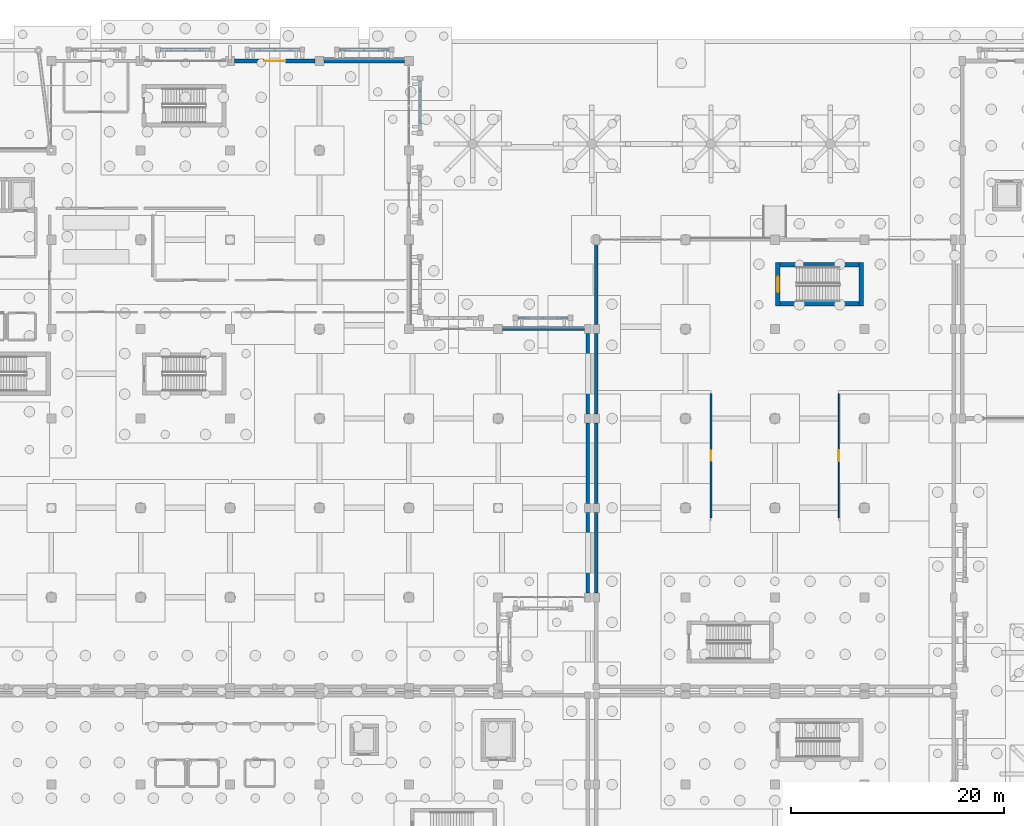
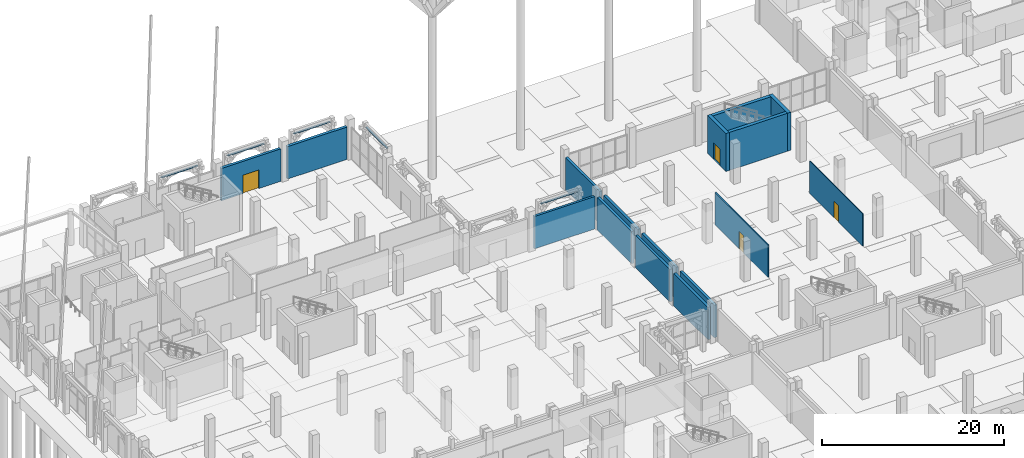
# One storey, part 68 of 98: 21 walls, 4 doors, 4 openings.
"""IFC4 building model written with IfcOpenShell, lengths in metres."""

from ifc_helpers import new_model, si_unit, direction, frame, frame_2d, origin, place, context, subcontext, project, spatial, rectangle, extrude, material, layer, layer_set, type_object, element, fill, save


model = new_model("IFC4")

# Units and contexts
model_context = context("Model", 3, precision=1e-05, world=origin(), true_north=direction((0.0, 1.0)))
body_context = subcontext(model_context, "Body", "Model", "MODEL_VIEW")
ifc_project = project(units=[si_unit("LENGTHUNIT", "METRE"), si_unit("AREAUNIT", "SQUARE_METRE"), si_unit("VOLUMEUNIT", "CUBIC_METRE"), si_unit("PLANEANGLEUNIT", "RADIAN"), si_unit("MASSUNIT", "GRAM", prefix="KILO")], contexts=[model_context])

# Site, building, storey
site_placement = place(None, origin())
site = spatial("IfcSite", under=ifc_project, at=site_placement, CompositionType="ELEMENT")
building_placement = place(site_placement, origin())
building = spatial("IfcBuilding", under=site, at=building_placement, Name="Xazarin Passage Department Store", CompositionType="ELEMENT")
storey_placement = place(building_placement, origin())
storey = spatial("IfcBuildingStorey", under=building, at=storey_placement, Name="L00", CompositionType="ELEMENT", Elevation=0.0)

# Walls
ifc_material_1 = material(Name="Precast concrete C40/50", Category="concrete")
ifc_layer_1 = layer(ifc_material_1, 0.280029296875)
ifc_layer_set_1 = layer_set([ifc_layer_1], Name="Precast concrete C40/50")
wall_type_1 = type_object("IfcWallType", Name="ARC-W-EXT280", PredefinedType="SOLIDWALL", material=ifc_layer_set_1)
wall_1_placement = place(storey_placement, frame((59.22509765625, 84.800048828125, 0.0), z_axis=(0.0, 0.0, 1.0), x_axis=(1.0, 0.0, 0.0)))
element("IfcWall", 1, at=wall_1_placement, inside=storey, type_object=wall_type_1, Name="L00 V1 Exterior Wall 009", PredefinedType="SOLIDWALL", context=body_context, shape_type="SweptSolid", body=[
    extrude(rectangle(XDim=7.6748046875, YDim=0.280029296875, at=frame_2d((3.83740234375, 0.0))), origin(), (0.0, 0.0, 1.0), 4.35009765625),
])
ifc_material_2 = material(Name="Buff Baku clay brick", Category="masonry")
ifc_layer_2 = layer(ifc_material_2, 0.320068359375)
ifc_layer_set_2 = layer_set([ifc_layer_2], Name="Buff Baku clay brick")
wall_type_2 = type_object("IfcWallType", Name="ARC-W-EXT320", PredefinedType="SOLIDWALL", material=ifc_layer_set_2)
for number, where, z_axis, x_axis, name in (
    (2, (67.199951171875, 60.02490234375, 0.0), (0.0, 0.0, 1.0), (0.0, 1.0, 0.0), "L00 V1 Exterior Wall 021"),
    (3, (67.199951171875, 68.425048828125, 0.0), (0.0, 0.0, 1.0), (0.0, 1.0, 0.0), "L00 V1 Exterior Wall 022"),
    (4, (67.199951171875, 76.824951171875, 0.0), (0.0, 0.0, 1.0), (0.0, 1.0, 0.0), "L00 V1 Exterior Wall 023"),
    (5, (68.0, 60.02490234375, 0.0), (0.0, 0.0, 1.0), (0.0, 1.0, 0.0), "L00 V2N Exterior Wall 145"),
    (6, (68.0, 68.425048828125, 0.0), (0.0, 0.0, 1.0), (0.0, 1.0, 0.0), "L00 V2N Exterior Wall 146"),
    (7, (68.0, 76.824951171875, 0.0), (0.0, 0.0, 1.0), (0.0, 1.0, 0.0), "L00 V2N Exterior Wall 147"),
):
    element("IfcWall", number, at=place(storey_placement, frame(where, z_axis=z_axis, x_axis=x_axis)), inside=storey, type_object=wall_type_2, Name=name, PredefinedType="SOLIDWALL", context=body_context, shape_type="SweptSolid", body=[
        extrude(rectangle(XDim=7.550048828125, YDim=0.320068359375, at=frame_2d((3.77490234375, 0.0))), origin(), (0.0, 0.0, 1.0), 4.35009765625),
    ])
wall_2_placement = place(storey_placement, frame((68.0, 85.22509765625, 0.0), z_axis=(0.0, 0.0, 1.0), x_axis=(0.0, 1.0, 0.0)))
element("IfcWall", 8, at=wall_2_placement, inside=storey, type_object=wall_type_2, Name="L00 V2N Exterior Wall 148", PredefinedType="SOLIDWALL", context=body_context, shape_type="SweptSolid", body=[
    extrude(rectangle(XDim=7.5498046875, YDim=0.320068359375, at=frame_2d((3.77490234375, 0.0))), origin(), (0.0, 0.0, 1.0), 4.35009765625),
])

# Wall, opening, door
ifc_material_3 = material(Name="Absheron limestone cladding", Category="masonry")
ifc_layer_3 = layer(ifc_material_3, 0.340087890625)
ifc_layer_set_3 = layer_set([ifc_layer_3], Name="Absheron limestone cladding")
wall_type_3 = type_object("IfcWallType", Name="ARC-W-EXT340", PredefinedType="SOLIDWALL", material=ifc_layer_set_3)
wall_3_placement = place(storey_placement, frame((34.02490234375, 110.0, 0.0), z_axis=(0.0, 0.0, 1.0), x_axis=(1.0, 0.0, 0.0)))
wall_3 = element("IfcWall", 9, at=wall_3_placement, inside=storey, type_object=wall_type_3, Name="L00 V1 Exterior Wall 012", PredefinedType="SOLIDWALL", context=body_context, shape_type="SweptSolid", body=[
    extrude(rectangle(XDim=7.550048828125, YDim=0.340087890625, at=frame_2d((3.77490234375, 0.0))), origin(), (0.0, 0.0, 1.0), 4.35009765625),
])
opening_1_placement = place(wall_3_placement, frame((2.77490234375, 0.0, 0.0)))
opening_1 = element("IfcOpeningElement", 10, at=opening_1_placement, cuts=wall_3, Name="Opening ED3", PredefinedType="OPENING", context=body_context, shape_type="SweptSolid", body=[
    extrude(rectangle(XDim=2.0, YDim=2.5, at=frame_2d((1.0, 1.25))), frame((0.0, 0.179931640625, 0.0), z_axis=(0.0, -1.0, 0.0), x_axis=(1.0, 0.0, 0.0)), (0.0, 0.0, 1.0), 0.360107421875),
])
ifc_material_4 = material(Name="Bronze anodised aluminium", Category="aluminium")
door_type_1 = type_object("IfcDoorType", Name="ARC-DR-ENT200", OperationType="NOTDEFINED", PredefinedType="DOOR", material=ifc_material_4)
door_1_placement = place(opening_1_placement, origin())
door_1 = element("IfcDoor", 11, at=door_1_placement, inside=storey, type_object=door_type_1, Name="DR-EXT-003", OperationType="DOUBLE_DOOR_SINGLE_SWING", OverallHeight=2.5, OverallWidth=2.0, PredefinedType="DOOR", context=body_context, shape_type="SweptSolid", body=[
    extrude(rectangle(XDim=2.0, YDim=2.5, at=frame_2d((1.0, 1.25))), frame((0.0, 0.02490234375, 0.0), z_axis=(0.0, -1.0, 0.0), x_axis=(1.0, 0.0, 0.0)), (0.0, 0.0, 1.0), 0.050048828125),
])
fill(opening_1, door_1)

# Walls
ifc_layer_4 = layer(ifc_material_3, 0.360107421875)
ifc_layer_set_4 = layer_set([ifc_layer_4], Name="Absheron limestone cladding")
wall_type_4 = type_object("IfcWallType", Name="ARC-W-EXT360", PredefinedType="SOLIDWALL", material=ifc_layer_set_4)
wall_4_placement = place(storey_placement, frame((42.425048828125, 110.0, 0.0), z_axis=(0.0, 0.0, 1.0), x_axis=(1.0, 0.0, 0.0)))
element("IfcWall", 12, at=wall_4_placement, inside=storey, type_object=wall_type_4, Name="L00 V1 Exterior Wall 013", PredefinedType="SOLIDWALL", context=body_context, shape_type="SweptSolid", body=[
    extrude(rectangle(XDim=7.550048828125, YDim=0.360107421875, at=frame_2d((3.77490234375, 0.0))), origin(), (0.0, 0.0, 1.0), 4.35009765625),
])
ifc_layer_5 = layer(ifc_material_1, 0.2099609375)
ifc_layer_set_5 = layer_set([ifc_layer_5], Name="Precast concrete C40/50")
wall_type_5 = type_object("IfcWallType", Name="ARC-W-PAR210", PredefinedType="PARAPET", material=ifc_layer_set_5)
for number, where, z_axis, x_axis, name in (
    (13, (27.070068359375, 111.050048828125, 4.780029296875), (0.0, 0.0, 1.0), (1.0, 0.0, 0.0), "L00 V1 Pierced-Arch Spandrel Lintel 0009"),
    (14, (35.469970703125, 111.050048828125, 4.780029296875), (0.0, 0.0, 1.0), (1.0, 0.0, 0.0), "L00 V1 Pierced-Arch Spandrel Lintel 0017"),
    (15, (43.8701171875, 111.050048828125, 4.780029296875), (0.0, 0.0, 1.0), (1.0, 0.0, 0.0), "L00 V1 Pierced-Arch Spandrel Lintel 0023"),
):
    element("IfcWall", number, at=place(storey_placement, frame(where, z_axis=z_axis, x_axis=x_axis)), inside=storey, type_object=wall_type_5, Name=name, PredefinedType="PARAPET", context=body_context, shape_type="SweptSolid", body=[
        extrude(rectangle(XDim=4.659912109375, YDim=0.2099609375, at=frame_2d((2.330078125, 0.0))), origin(), (0.0, 0.0, 1.0), 0.119873046875),
    ])
wall_5_placement = place(storey_placement, frame((60.669921875, 85.85009765625, 4.780029296875), z_axis=(0.0, 0.0, 1.0), x_axis=(1.0, 0.0, 0.0)))
element("IfcWall", 16, at=wall_5_placement, inside=storey, type_object=wall_type_5, Name="L00 V1 Pierced-Arch Spandrel Lintel 0033", PredefinedType="PARAPET", context=body_context, shape_type="SweptSolid", body=[
    extrude(rectangle(XDim=4.66015625, YDim=0.2099609375, at=frame_2d((2.330078125, 0.0))), origin(), (0.0, 0.0, 1.0), 0.119873046875),
])
wall_6_placement = place(storey_placement, frame((51.449951171875, 103.469970703125, 4.780029296875), z_axis=(0.0, 0.0, 1.0), x_axis=(0.0, 1.0, 0.0)))
element("IfcWall", 17, at=wall_6_placement, inside=storey, type_object=wall_type_5, Name="L00 V1 Pierced-Arch Spandrel Lintel 0079", PredefinedType="PARAPET", context=body_context, shape_type="SweptSolid", body=[
    extrude(rectangle(XDim=4.659912109375, YDim=0.2099609375, at=frame_2d((2.330078125, 0.0))), origin(), (0.0, 0.0, 1.0), 0.119873046875),
])

# Wall, opening, door
ifc_material_5 = material(Name="Gypsum board acoustic partition")
ifc_layer_6 = layer(ifc_material_5, 0.094970703125)
ifc_layer_set_6 = layer_set([ifc_layer_6], Name="Gypsum board acoustic partition")
wall_type_6 = type_object("IfcWallType", Name="ARC-W-PRT095", PredefinedType="PARTITIONING", material=ifc_layer_set_6)
wall_7_placement = place(storey_placement, frame((90.800048828125, 67.070068359375, 0.0), z_axis=(0.0, 0.0, 1.0), x_axis=(0.0, 1.0, 0.0)))
wall_7 = element("IfcWall", 18, at=wall_7_placement, inside=storey, type_object=wall_type_6, Name="L00 Arcade Boutique Front Wall 0058", PredefinedType="PARTITIONING", context=body_context, shape_type="SweptSolid", body=[
    extrude(rectangle(XDim=11.659912109375, YDim=0.094970703125, at=frame_2d((5.830078125, 0.0))), origin(), (0.0, 0.0, 1.0), 4.35009765625),
])
opening_2_placement = place(wall_7_placement, frame((5.31005859375, 0.0, 0.0)))
opening_2 = element("IfcOpeningElement", 19, at=opening_2_placement, cuts=wall_7, Name="Opening ID16", PredefinedType="OPENING", context=body_context, shape_type="SweptSolid", body=[
    extrude(rectangle(XDim=1.0400390625, YDim=2.219970703125, at=frame_2d((0.52001953125, 1.10986328125))), frame((0.0, 0.057373046875, 0.0), z_axis=(0.0, -1.0, 0.0), x_axis=(1.0, 0.0, 0.0)), (0.0, 0.0, 1.0), 0.114990234375),
])
ifc_material_6 = material(Name="Timber acoustic leaf", Category="wood")
door_type_2 = type_object("IfcDoorType", Name="ARC-DR-ID16", OperationType="NOTDEFINED", PredefinedType="DOOR", material=ifc_material_6)
door_2_placement = place(opening_2_placement, origin())
door_2 = element("IfcDoor", 20, at=door_2_placement, inside=storey, type_object=door_type_2, Name="DR-INT-L00-0058", OperationType="SINGLE_SWING_RIGHT", OverallHeight=2.219970703125, OverallWidth=1.0400390625, PredefinedType="DOOR", context=body_context, shape_type="SweptSolid", body=[
    extrude(rectangle(XDim=1.0400390625, YDim=2.219970703125, at=frame_2d((0.52001953125, 1.10986328125))), frame((0.0, 0.02490234375, 0.0), z_axis=(0.0, -1.0, 0.0), x_axis=(1.0, 0.0, 0.0)), (0.0, 0.0, 1.0), 0.050048828125),
])
fill(opening_2, door_2)

ifc_layer_7 = layer(ifc_material_5, 0.155029296875)
ifc_layer_set_7 = layer_set([ifc_layer_7], Name="Gypsum board acoustic partition")
wall_type_7 = type_object("IfcWallType", Name="ARC-W-PRT155", PredefinedType="PARTITIONING", material=ifc_layer_set_7)
wall_8_placement = place(storey_placement, frame((78.800048828125, 67.070068359375, 0.0), z_axis=(0.0, 0.0, 1.0), x_axis=(0.0, 1.0, 0.0)))
wall_8 = element("IfcWall", 21, at=wall_8_placement, inside=storey, type_object=wall_type_7, Name="L00 Silk and Cashmere Shop Front Wall 0057", PredefinedType="PARTITIONING", context=body_context, shape_type="SweptSolid", body=[
    extrude(rectangle(XDim=11.659912109375, YDim=0.155029296875, at=frame_2d((5.830078125, 0.0))), origin(), (0.0, 0.0, 1.0), 4.35009765625),
])
opening_3_placement = place(wall_8_placement, frame((5.35009765625, 0.0, 0.0)))
opening_3 = element("IfcOpeningElement", 22, at=opening_3_placement, cuts=wall_8, Name="Opening ID13", PredefinedType="OPENING", context=body_context, shape_type="SweptSolid", body=[
    extrude(rectangle(XDim=0.9599609375, YDim=2.340087890625, at=frame_2d((0.47998046875, 1.169921875))), frame((0.0, 0.08740234375, 0.0), z_axis=(0.0, -1.0, 0.0), x_axis=(1.0, 0.0, 0.0)), (0.0, 0.0, 1.0), 0.175048828125),
])
door_type_3 = type_object("IfcDoorType", Name="ARC-DR-ID13", OperationType="NOTDEFINED", PredefinedType="DOOR", material=ifc_material_6)
door_3_placement = place(opening_3_placement, origin())
door_3 = element("IfcDoor", 23, at=door_3_placement, inside=storey, type_object=door_type_3, Name="DR-INT-L00-0057", OperationType="SINGLE_SWING_LEFT", OverallHeight=2.340087890625, OverallWidth=0.9599609375, PredefinedType="DOOR", context=body_context, shape_type="SweptSolid", body=[
    extrude(rectangle(XDim=0.9599609375, YDim=2.340087890625, at=frame_2d((0.47998046875, 1.169921875))), frame((0.0, 0.02490234375, 0.0), z_axis=(0.0, -1.0, 0.0), x_axis=(1.0, 0.0, 0.0)), (0.0, 0.0, 1.0), 0.050048828125),
])
fill(opening_3, door_3)

ifc_material_7 = material(Name="Concrete C40/50", Category="concrete")
ifc_layer_8 = layer(ifc_material_7, 0.419921875)
ifc_layer_set_8 = layer_set([ifc_layer_8], Name="Concrete C40/50")
wall_type_8 = type_object("IfcWallType", Name="STR-W-SHR420", PredefinedType="SHEAR", material=ifc_layer_set_8)
wall_9_placement = place(storey_placement, frame((85.090087890625, 86.9599609375, 0.0), z_axis=(0.0, 0.0, 1.0), x_axis=(0.0, 1.0, 0.0)))
wall_9 = element("IfcWall", 24, at=wall_9_placement, inside=storey, type_object=wall_type_8, Name="L00 Core K7 West Shear Wall", PredefinedType="SHEAR", context=body_context, shape_type="SweptSolid", body=[
    extrude(rectangle(XDim=4.080078125, YDim=0.419921875, at=frame_2d((2.0400390625, 0.0))), origin(), (0.0, 0.0, 1.0), 5.10009765625),
])
opening_4_placement = place(wall_9_placement, frame((1.31494140625, 0.0, 0.0)))
opening_4 = element("IfcOpeningElement", 25, at=opening_4_placement, cuts=wall_9, Name="Opening FD1", PredefinedType="OPENING", context=body_context, shape_type="SweptSolid", body=[
    extrude(rectangle(XDim=1.449951171875, YDim=2.199951171875, at=frame_2d((0.72509765625, 1.10009765625))), frame((0.0, 0.219970703125, 0.0), z_axis=(0.0, -1.0, 0.0), x_axis=(1.0, 0.0, 0.0)), (0.0, 0.0, 1.0), 0.43994140625),
])
ifc_material_8 = material(Name="Steel S355", Category="steel")
door_type_4 = type_object("IfcDoorType", Name="ARC-DR-STR145", OperationType="NOTDEFINED", PredefinedType="DOOR", material=ifc_material_8)
door_4_placement = place(opening_4_placement, origin())
door_4 = element("IfcDoor", 26, at=door_4_placement, inside=storey, type_object=door_type_4, Name="DR-STR-K7-L00", OperationType="SINGLE_SWING_LEFT", OverallHeight=2.199951171875, OverallWidth=1.449951171875, PredefinedType="DOOR", context=body_context, shape_type="SweptSolid", body=[
    extrude(rectangle(XDim=1.449951171875, YDim=2.199951171875, at=frame_2d((0.72509765625, 1.10009765625))), frame((0.0, 0.02490234375, 0.0), z_axis=(0.0, -1.0, 0.0), x_axis=(1.0, 0.0, 0.0)), (0.0, 0.0, 1.0), 0.050048828125),
])
fill(opening_4, door_4)

# Walls
wall_10_placement = place(storey_placement, frame((92.909912109375, 86.9599609375, 0.0), z_axis=(0.0, 0.0, 1.0), x_axis=(0.0, 1.0, 0.0)))
element("IfcWall", 27, at=wall_10_placement, inside=storey, type_object=wall_type_8, Name="L00 Core K7 East Shear Wall", PredefinedType="SHEAR", context=body_context, shape_type="SweptSolid", body=[
    extrude(rectangle(XDim=4.080078125, YDim=0.419921875, at=frame_2d((2.0400390625, 0.0))), origin(), (0.0, 0.0, 1.0), 5.10009765625),
])
for number, where, z_axis, x_axis, name in (
    (28, (85.300048828125, 87.169921875, 0.0), (0.0, 0.0, 1.0), (1.0, 0.0, 0.0), "L00 Core K7 South Shear Wall"),
    (29, (85.300048828125, 90.830078125, 0.0), (0.0, 0.0, 1.0), (1.0, 0.0, 0.0), "L00 Core K7 North Shear Wall"),
):
    element("IfcWall", number, at=place(storey_placement, frame(where, z_axis=z_axis, x_axis=x_axis)), inside=storey, type_object=wall_type_8, Name=name, PredefinedType="SHEAR", context=body_context, shape_type="SweptSolid", body=[
        extrude(rectangle(XDim=7.39990234375, YDim=0.419921875, at=frame_2d((3.699951171875, 0.0))), origin(), (0.0, 0.0, 1.0), 5.10009765625),
    ])

save(model, "model.ifc")
